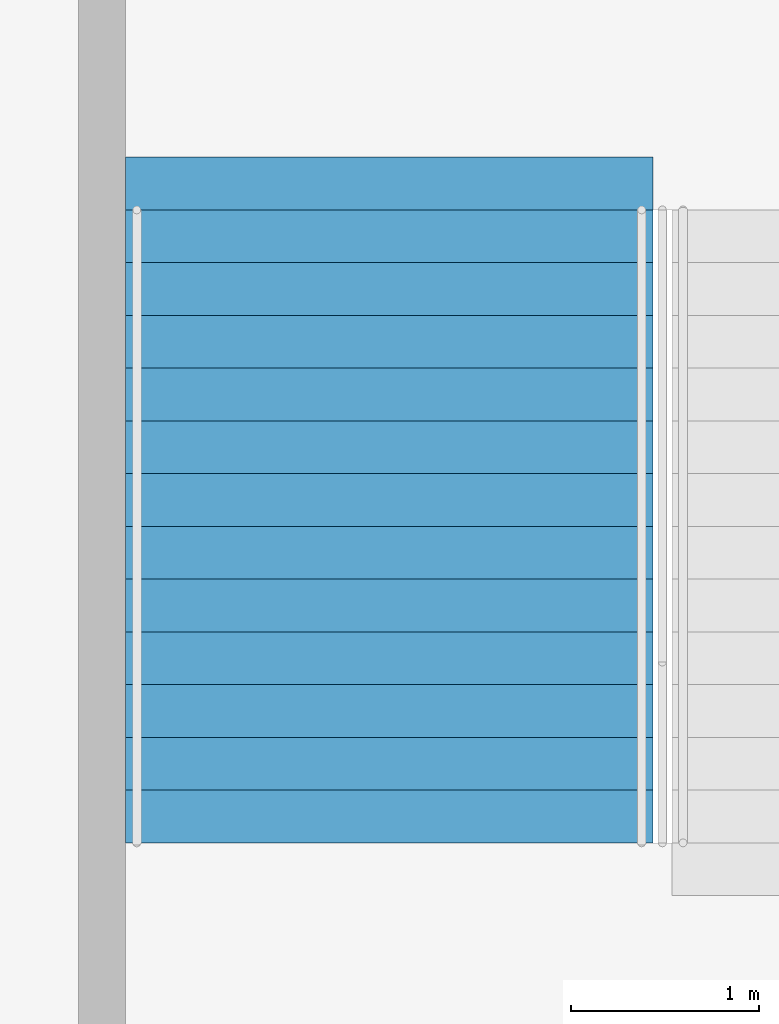
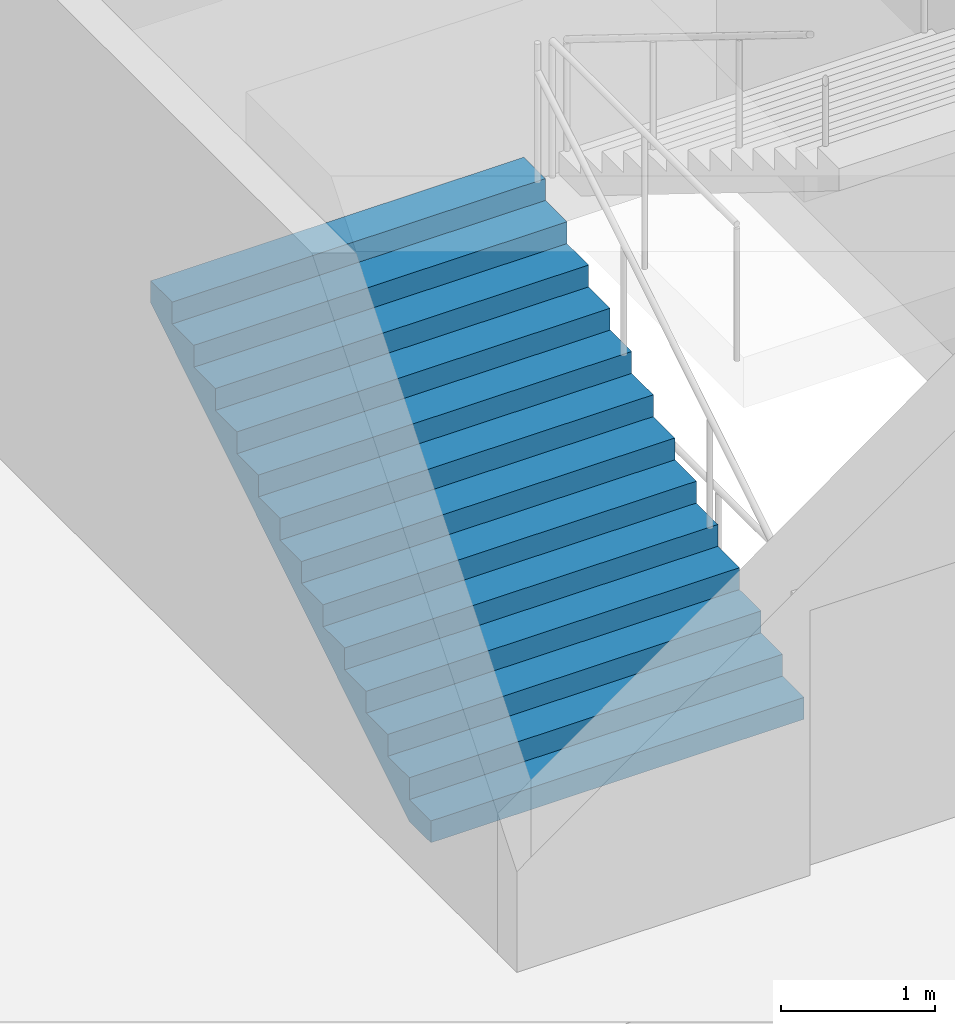
# One storey, part 170 of 199: 1 stair flight, 1 element without a shape of its own.
"""IFC4 building model written with IfcOpenShell, lengths in metres."""

import ifcopenshell
import ifcopenshell.guid

model = None  # the IFC model being written
_history = None  # IfcOwnerHistory: only IFC2X3 demands one
_inside = {}  # id of a spatial element -> (the spatial element, [elements in it])
_under = {}  # id of a project, library or spatial element -> (it, [spatial elements below it])
_declared = {}  # id of a project -> (the project, [libraries it declares])
_typed = {}  # id of a type object -> (the type object, [elements of that type])
_made_of = {}  # id of a material, layer set ... -> (it, [elements and type objects made of it])


def new_model(schema):
    """Start an empty IFC model of exactly this schema.

    Asked for "IFC4X3", IfcOpenShell would pick the latest addendum, in which some entities
    have other attributes; the version numbers below select the first issue.
    IFC2X3 requires an IfcOwnerHistory on every rooted entity: one is made here for all.
    """
    global model, _history
    if schema == "IFC4X3":
        model = ifcopenshell.file(schema_version=(4, 3, 0, 0))
    else:
        model = ifcopenshell.file(schema=schema)
    _inside.clear()
    _under.clear()
    _declared.clear()
    _typed.clear()
    _made_of.clear()
    _history = None
    if model.schema == "IFC2X3":
        org = make("IfcOrganization", Name="unknown")
        user = make(
            "IfcPersonAndOrganization",
            ThePerson=make("IfcPerson", FamilyName="unknown"),
            TheOrganization=org,
        )
        app = make(
            "IfcApplication",
            ApplicationDeveloper=org,
            Version="unknown",
            ApplicationFullName="unknown",
            ApplicationIdentifier="unknown",
        )
        _history = make(
            "IfcOwnerHistory",
            OwningUser=user,
            OwningApplication=app,
            ChangeAction="ADDED",
            CreationDate=0,
        )
    return model


def make(cls, **values):
    """One entity of the class cls with the attributes given. An attribute that is None is left unset."""
    return model.create_entity(
        cls, **{name: value for name, value in values.items() if value is not None}
    )


def rooted(cls, **values):
    """An entity with a GlobalId (a new one), such as an element, a storey or a relation."""
    return make(cls, GlobalId=ifcopenshell.guid.new(), OwnerHistory=_history, **values)


def si_unit(unit_type, name, prefix=None):
    """IfcSIUnit, for example si_unit("LENGTHUNIT", "METRE", prefix="MILLI")."""
    return make("IfcSIUnit", UnitType=unit_type, Prefix=prefix, Name=name)


def assignment(units):
    """IfcUnitAssignment: the units of a project."""
    return None if units is None else make("IfcUnitAssignment", Units=units)


def point(xyz):
    """IfcCartesianPoint."""
    return None if xyz is None else make("IfcCartesianPoint", Coordinates=xyz)


def direction(xyz):
    """IfcDirection."""
    return None if xyz is None else make("IfcDirection", DirectionRatios=xyz)


def frame(location, z_axis=None, x_axis=None):
    """IfcAxis2Placement3D, a coordinate frame: its origin and axes. An axis left out is left unset."""
    return make(
        "IfcAxis2Placement3D",
        Location=point(location),
        Axis=direction(z_axis),
        RefDirection=direction(x_axis),
    )


def origin():
    """The frame at (0, 0, 0) with its axes left unset."""
    return frame((0.0, 0.0, 0.0))


def place(relative_to, where):
    """IfcLocalPlacement: puts the frame where relative to a parent placement (None: the world)."""
    return make(
        "IfcLocalPlacement", PlacementRelTo=relative_to, RelativePlacement=where
    )


def context(
    kind, dimensions, precision=None, world=None, true_north=None, identifier=None
):
    """IfcGeometricRepresentationContext, for example the 3D "Model" context."""
    return make(
        "IfcGeometricRepresentationContext",
        ContextIdentifier=identifier,
        ContextType=kind,
        CoordinateSpaceDimension=dimensions,
        Precision=precision,
        WorldCoordinateSystem=world,
        TrueNorth=true_north,
    )


def subcontext(parent, identifier, kind, view, scale=None):
    """IfcGeometricRepresentationSubContext, for example "Body" below "Model"."""
    return make(
        "IfcGeometricRepresentationSubContext",
        ContextIdentifier=identifier,
        ContextType=kind,
        ParentContext=parent,
        TargetScale=scale,
        TargetView=view,
    )


def project(units=None, contexts=None):
    """IfcProject with its units and contexts."""
    return rooted(
        "IfcProject",
        Name="project",
        RepresentationContexts=contexts,
        UnitsInContext=assignment(units),
    )


def spatial(cls, under=None, at=None, **own):
    """A site, building, storey or space (cls), placed at a placement, below another one or the project."""
    s = rooted(cls, ObjectPlacement=at, **own)
    if under is not None:
        _under.setdefault(under.id(), (under, []))[1].append(s)
    return s


def faces_of(points, faces, orient=None, outer=None):
    """IfcFace entities. A face is a list of loops; a loop is a list of indices into points, from 0.

    orient and outer hold one flag for each loop. By default every Orientation is true, the
    first loop of a face is its IfcFaceOuterBound and the others are IfcFaceBound.
    """
    made = []
    for i, loops in enumerate(faces):
        bounds = []
        for j, loop in enumerate(loops):
            is_outer = j == 0 if outer is None else outer[i][j]
            bounds.append(
                make(
                    "IfcFaceOuterBound" if is_outer else "IfcFaceBound",
                    Bound=make("IfcPolyLoop", Polygon=[points[k] for k in loop]),
                    Orientation=True if orient is None else orient[i][j],
                )
            )
        made.append(make("IfcFace", Bounds=bounds))
    return made


def faceted_brep(points, faces, orient=None, outer=None, voids=None):
    """IfcFacetedBrep: a solid bounded by flat faces; with voids (closed shells), ...WithVoids."""
    shared = [point(p) for p in points]
    hull = make("IfcClosedShell", CfsFaces=faces_of(shared, faces, orient, outer))
    if voids is None:
        return make("IfcFacetedBrep", Outer=hull)
    return make(
        "IfcFacetedBrepWithVoids",
        Outer=hull,
        Voids=[
            make(cls, CfsFaces=faces_of(shared, fs, o, b)) for cls, fs, o, b in voids
        ],
    )


def shape(context_of_items, identifier, shape_type, items):
    """IfcShapeRepresentation: the items that make up one representation, for example the "Body"."""
    return make(
        "IfcShapeRepresentation",
        ContextOfItems=context_of_items,
        RepresentationIdentifier=identifier,
        RepresentationType=shape_type,
        Items=items,
    )


def material(Name=None, Category=None):
    """IfcMaterial."""
    return make("IfcMaterial", Name=Name, Category=Category)


def made_of(thing, what):
    """Note that an element or type object is made of a material, layer set ...; save() writes the relation."""
    if what is not None:
        _made_of.setdefault(what.id(), (what, []))[1].append(thing)
    return thing


def type_object(cls, material=None, **own):
    """A type object (cls), such as IfcWallType, which elements share."""
    return made_of(rooted(cls, **own), material)


def element(
    cls,
    number,
    at=None,
    inside=None,
    cuts=None,
    type_object=None,
    material=None,
    context=None,
    identifier="Body",
    shape_type=None,
    held_by="IfcProductDefinitionShape",
    body=None,
    shapes=None,
    **own,
):
    """One element of the class cls, such as IfcWall. Its Tag is "e" and its number.

    at: its placement. inside: the storey or other place that contains it. cuts: it is an
    opening in that element (IfcRelVoidsElement). A single representation is given by context,
    identifier, shape_type and body (its items); several are given by shapes. held_by: the class
    of the entity that holds the representations. save() writes the other relations.
    """
    e = rooted(cls, Tag="e%d" % number, ObjectPlacement=at, **own)
    if body is not None:
        shapes = [shape(context, identifier, shape_type, body)]
    if shapes is not None:
        e.Representation = make(held_by, Representations=shapes)
    if inside is not None:
        _inside.setdefault(inside.id(), (inside, []))[1].append(e)
    if cuts is not None:
        rooted(
            "IfcRelVoidsElement", RelatingBuildingElement=cuts, RelatedOpeningElement=e
        )
    if type_object is not None:
        _typed.setdefault(type_object.id(), (type_object, []))[1].append(e)
    return made_of(e, material)


def aggregate(whole, parts):
    """IfcRelAggregates: a whole, such as a stair, and the parts it consists of."""
    return rooted("IfcRelAggregates", RelatingObject=whole, RelatedObjects=parts)


def save(model, path):
    """Write the relations noted so far, then the file.

    IfcRelAggregates (storeys below a building ...), IfcRelContainedInSpatialStructure (elements
    in a storey), IfcRelDefinesByType, IfcRelAssociatesMaterial and IfcRelDeclares: one each for
    every whole, place, type object, material and project.
    """
    for whole, parts in _under.values():
        aggregate(whole, parts)
    for where, things in _inside.values():
        rooted(
            "IfcRelContainedInSpatialStructure",
            RelatedElements=things,
            RelatingStructure=where,
        )
    for kind, things in _typed.values():
        rooted("IfcRelDefinesByType", RelatedObjects=things, RelatingType=kind)
    for what, things in _made_of.values():
        rooted("IfcRelAssociatesMaterial", RelatedObjects=things, RelatingMaterial=what)
    for by, libraries in _declared.values():
        rooted("IfcRelDeclares", RelatingContext=by, RelatedDefinitions=libraries)
    model.write(path)


model = new_model("IFC4")

# Units and contexts
model_context = context("Model", 3, precision=1e-05, world=origin(), true_north=direction((0.0, 1.0)))
body_context = subcontext(model_context, "Body", "Model", "MODEL_VIEW")
ifc_project = project(units=[si_unit("LENGTHUNIT", "METRE"), si_unit("AREAUNIT", "SQUARE_METRE"), si_unit("VOLUMEUNIT", "CUBIC_METRE"), si_unit("PLANEANGLEUNIT", "RADIAN"), si_unit("MASSUNIT", "GRAM", prefix="KILO")], contexts=[model_context])

# Site, building, storey
site_placement = place(None, origin())
site = spatial("IfcSite", under=ifc_project, at=site_placement, CompositionType="ELEMENT")
building_placement = place(site_placement, origin())
building = spatial("IfcBuilding", under=site, at=building_placement, Name="Ogive Plaza Stadium", CompositionType="ELEMENT")
storey_placement = place(building_placement, frame((0.0, 0.0, 4.5)))
storey = spatial("IfcBuildingStorey", under=building, at=storey_placement, Name="L01", CompositionType="ELEMENT", Elevation=4.5)

# Stair, stair flight
ifc_material_1 = material(Name="Concrete C40/50", Category="concrete")
stair_type = type_object("IfcStairType", Name="Exit stair", PredefinedType="STRAIGHT_RUN_STAIR", material=ifc_material_1)
stair_placement = place(storey_placement, origin())
stair = element("IfcStair", 1, at=stair_placement, inside=storey, type_object=stair_type, Name="Exit stair ST36B L01 to L02", PredefinedType="STRAIGHT_RUN_STAIR")
ifc_material_2 = material(Name="Concrete C40/50", Category="concrete")
stair_flight_type = type_object("IfcStairFlightType", Name="Exit stair flight", PredefinedType="STRAIGHT", material=ifc_material_2)
stair_flight_placement = place(storey_placement, frame((15.97509765625, 94.85009765625, 0.0), z_axis=(0.0, 0.0, 1.0), x_axis=(0.0, 1.0, 0.0)))
stair_flight = element("IfcStairFlight", 2, at=stair_flight_placement, type_object=stair_flight_type, Name="ST36B flight 1", NumberOfRisers=13, NumberOfTreads=12, PredefinedType="STRAIGHT", RiserHeight=0.173076923, TreadLength=0.28, context=body_context, shape_type="Brep", body=[
    faceted_brep([(0.28515625, -1.39990234375, 0.0), (3.639892578125, -1.39990234375, 2.07373046875), (3.639892578125, -1.39990234375, 2.25), (3.360107421875, -1.39990234375, 2.25), (3.360107421875, -1.39990234375, 2.076904296875), (3.080078125, -1.39990234375, 2.076904296875), (3.080078125, -1.39990234375, 1.90380859375), (2.800048828125, -1.39990234375, 1.90380859375), (2.800048828125, -1.39990234375, 1.730712890625), (2.52001953125, -1.39990234375, 1.730712890625), (2.52001953125, -1.39990234375, 1.5576171875), (2.239990234375, -1.39990234375, 1.5576171875), (2.239990234375, -1.39990234375, 1.384521484375), (1.9599609375, -1.39990234375, 1.384521484375), (1.9599609375, -1.39990234375, 1.21142578125), (1.679931640625, -1.39990234375, 1.21142578125), (1.679931640625, -1.39990234375, 1.03857421875), (1.39990234375, -1.39990234375, 1.03857421875), (1.39990234375, -1.39990234375, 0.865478515625), (1.1201171875, -1.39990234375, 0.865478515625), (1.1201171875, -1.39990234375, 0.6923828125), (0.840087890625, -1.39990234375, 0.6923828125), (0.840087890625, -1.39990234375, 0.519287109375), (0.56005859375, -1.39990234375, 0.519287109375), (0.56005859375, -1.39990234375, 0.34619140625), (0.280029296875, -1.39990234375, 0.34619140625), (0.280029296875, -1.39990234375, 0.173095703125), (0.0, -1.39990234375, 0.173095703125), (0.0, -1.39990234375, 0.0), (0.0, 1.39990234375, 0.0), (0.0, 1.39990234375, 0.173095703125), (0.280029296875, 1.39990234375, 0.173095703125), (0.280029296875, 1.39990234375, 0.34619140625), (0.56005859375, 1.39990234375, 0.34619140625), (0.56005859375, 1.39990234375, 0.519287109375), (0.840087890625, 1.39990234375, 0.519287109375), (0.840087890625, 1.39990234375, 0.6923828125), (1.1201171875, 1.39990234375, 0.6923828125), (1.1201171875, 1.39990234375, 0.865478515625), (1.39990234375, 1.39990234375, 0.865478515625), (1.39990234375, 1.39990234375, 1.03857421875), (1.679931640625, 1.39990234375, 1.03857421875), (1.679931640625, 1.39990234375, 1.21142578125), (1.9599609375, 1.39990234375, 1.21142578125), (1.9599609375, 1.39990234375, 1.384521484375), (2.239990234375, 1.39990234375, 1.384521484375), (2.239990234375, 1.39990234375, 1.5576171875), (2.52001953125, 1.39990234375, 1.5576171875), (2.52001953125, 1.39990234375, 1.730712890625), (2.800048828125, 1.39990234375, 1.730712890625), (2.800048828125, 1.39990234375, 1.90380859375), (3.080078125, 1.39990234375, 1.90380859375), (3.080078125, 1.39990234375, 2.076904296875), (3.360107421875, 1.39990234375, 2.076904296875), (3.360107421875, 1.39990234375, 2.25), (3.639892578125, 1.39990234375, 2.25), (3.639892578125, 1.39990234375, 2.07373046875), (0.28515625, 1.39990234375, 0.0), (0.28515625, -1.0888671875, 0.0), (3.639892578125, -1.0888671875, 2.07373046875), (0.28515625, -0.77783203125, 0.0), (3.639892578125, -0.77783203125, 2.07373046875), (0.28515625, -0.466796875, 0.0), (3.639892578125, -0.466796875, 2.07373046875), (0.28515625, -0.155517578125, 0.0), (3.639892578125, -0.155517578125, 2.07373046875), (0.28515625, 0.155517578125, 0.0), (3.639892578125, 0.155517578125, 2.07373046875), (0.28515625, 0.466796875, 0.0), (3.639892578125, 0.466796875, 2.07373046875), (0.28515625, 0.77783203125, 0.0), (3.639892578125, 0.77783203125, 2.07373046875), (0.28515625, 1.0888671875, 0.0), (3.639892578125, 1.0888671875, 2.07373046875), (3.639892578125, -1.0888671875, 2.25), (3.639892578125, -0.77783203125, 2.25), (3.639892578125, -0.466796875, 2.25), (3.639892578125, -0.155517578125, 2.25), (3.639892578125, 0.155517578125, 2.25), (3.639892578125, 0.466796875, 2.25), (3.639892578125, 0.77783203125, 2.25), (3.639892578125, 1.0888671875, 2.25), (3.360107421875, -1.0888671875, 2.25), (3.360107421875, -0.77783203125, 2.25), (3.360107421875, -0.466796875, 2.25), (3.360107421875, -0.155517578125, 2.25), (3.360107421875, 0.155517578125, 2.25), (3.360107421875, 0.466796875, 2.25), (3.360107421875, 0.77783203125, 2.25), (3.360107421875, 1.0888671875, 2.25), (3.360107421875, -1.0888671875, 2.076904296875), (3.360107421875, -0.77783203125, 2.076904296875), (3.360107421875, -0.466796875, 2.076904296875), (3.360107421875, -0.155517578125, 2.076904296875), (3.360107421875, 0.155517578125, 2.076904296875), (3.360107421875, 0.466796875, 2.076904296875), (3.360107421875, 0.77783203125, 2.076904296875), (3.360107421875, 1.0888671875, 2.076904296875), (3.080078125, -1.0888671875, 2.076904296875), (3.080078125, -0.77783203125, 2.076904296875), (3.080078125, -0.466796875, 2.076904296875), (3.080078125, -0.155517578125, 2.076904296875), (3.080078125, 0.155517578125, 2.076904296875), (3.080078125, 0.466796875, 2.076904296875), (3.080078125, 0.77783203125, 2.076904296875), (3.080078125, 1.0888671875, 2.076904296875), (3.080078125, -1.0888671875, 1.90380859375), (3.080078125, -0.77783203125, 1.90380859375), (3.080078125, -0.466796875, 1.90380859375), (3.080078125, -0.155517578125, 1.90380859375), (3.080078125, 0.155517578125, 1.90380859375), (3.080078125, 0.466796875, 1.90380859375), (3.080078125, 0.77783203125, 1.90380859375), (3.080078125, 1.0888671875, 1.90380859375), (2.800048828125, -1.0888671875, 1.90380859375), (2.800048828125, -0.77783203125, 1.90380859375), (2.800048828125, -0.466796875, 1.90380859375), (2.800048828125, -0.155517578125, 1.90380859375), (2.800048828125, 0.155517578125, 1.90380859375), (2.800048828125, 0.466796875, 1.90380859375), (2.800048828125, 0.77783203125, 1.90380859375), (2.800048828125, 1.0888671875, 1.90380859375), (2.800048828125, -1.0888671875, 1.730712890625), (2.800048828125, -0.77783203125, 1.730712890625), (2.800048828125, -0.466796875, 1.730712890625), (2.800048828125, -0.155517578125, 1.730712890625), (2.800048828125, 0.155517578125, 1.730712890625), (2.800048828125, 0.466796875, 1.730712890625), (2.800048828125, 0.77783203125, 1.730712890625), (2.800048828125, 1.0888671875, 1.730712890625), (2.52001953125, -1.0888671875, 1.730712890625), (2.52001953125, -0.77783203125, 1.730712890625), (2.52001953125, -0.466796875, 1.730712890625), (2.52001953125, -0.155517578125, 1.730712890625), (2.52001953125, 0.155517578125, 1.730712890625), (2.52001953125, 0.466796875, 1.730712890625), (2.52001953125, 0.77783203125, 1.730712890625), (2.52001953125, 1.0888671875, 1.730712890625), (2.52001953125, -1.0888671875, 1.5576171875), (2.52001953125, -0.77783203125, 1.5576171875), (2.52001953125, -0.466796875, 1.5576171875), (2.52001953125, -0.155517578125, 1.5576171875), (2.52001953125, 0.155517578125, 1.5576171875), (2.52001953125, 0.466796875, 1.5576171875), (2.52001953125, 0.77783203125, 1.5576171875), (2.52001953125, 1.0888671875, 1.5576171875), (2.239990234375, -1.0888671875, 1.5576171875), (2.239990234375, -0.77783203125, 1.5576171875), (2.239990234375, -0.466796875, 1.5576171875), (2.239990234375, -0.155517578125, 1.5576171875), (2.239990234375, 0.155517578125, 1.5576171875), (2.239990234375, 0.466796875, 1.5576171875), (2.239990234375, 0.77783203125, 1.5576171875), (2.239990234375, 1.0888671875, 1.5576171875), (2.239990234375, -1.0888671875, 1.384521484375), (2.239990234375, -0.77783203125, 1.384521484375), (2.239990234375, -0.466796875, 1.384521484375), (2.239990234375, -0.155517578125, 1.384521484375), (2.239990234375, 0.155517578125, 1.384521484375), (2.239990234375, 0.466796875, 1.384521484375), (2.239990234375, 0.77783203125, 1.384521484375), (2.239990234375, 1.0888671875, 1.384521484375), (1.9599609375, -1.0888671875, 1.384521484375), (1.9599609375, -0.77783203125, 1.384521484375), (1.9599609375, -0.466796875, 1.384521484375), (1.9599609375, -0.155517578125, 1.384521484375), (1.9599609375, 0.155517578125, 1.384521484375), (1.9599609375, 0.466796875, 1.384521484375), (1.9599609375, 0.77783203125, 1.384521484375), (1.9599609375, 1.0888671875, 1.384521484375), (1.9599609375, -1.0888671875, 1.21142578125), (1.9599609375, -0.77783203125, 1.21142578125), (1.9599609375, -0.466796875, 1.21142578125), (1.9599609375, -0.155517578125, 1.21142578125), (1.9599609375, 0.155517578125, 1.21142578125), (1.9599609375, 0.466796875, 1.21142578125), (1.9599609375, 0.77783203125, 1.21142578125), (1.9599609375, 1.0888671875, 1.21142578125), (1.679931640625, -1.0888671875, 1.21142578125), (1.679931640625, -0.77783203125, 1.21142578125), (1.679931640625, -0.466796875, 1.21142578125), (1.679931640625, -0.155517578125, 1.21142578125), (1.679931640625, 0.155517578125, 1.21142578125), (1.679931640625, 0.466796875, 1.21142578125), (1.679931640625, 0.77783203125, 1.21142578125), (1.679931640625, 1.0888671875, 1.21142578125), (1.679931640625, -1.0888671875, 1.03857421875), (1.679931640625, -0.77783203125, 1.03857421875), (1.679931640625, -0.466796875, 1.03857421875), (1.679931640625, -0.155517578125, 1.03857421875), (1.679931640625, 0.155517578125, 1.03857421875), (1.679931640625, 0.466796875, 1.03857421875), (1.679931640625, 0.77783203125, 1.03857421875), (1.679931640625, 1.0888671875, 1.03857421875), (1.39990234375, -1.0888671875, 1.03857421875), (1.39990234375, -0.77783203125, 1.03857421875), (1.39990234375, -0.466796875, 1.03857421875), (1.39990234375, -0.155517578125, 1.03857421875), (1.39990234375, 0.155517578125, 1.03857421875), (1.39990234375, 0.466796875, 1.03857421875), (1.39990234375, 0.77783203125, 1.03857421875), (1.39990234375, 1.0888671875, 1.03857421875), (1.39990234375, -1.0888671875, 0.865478515625), (1.39990234375, -0.77783203125, 0.865478515625), (1.39990234375, -0.466796875, 0.865478515625), (1.39990234375, -0.155517578125, 0.865478515625), (1.39990234375, 0.155517578125, 0.865478515625), (1.39990234375, 0.466796875, 0.865478515625), (1.39990234375, 0.77783203125, 0.865478515625), (1.39990234375, 1.0888671875, 0.865478515625), (1.1201171875, -1.0888671875, 0.865478515625), (1.1201171875, -0.77783203125, 0.865478515625), (1.1201171875, -0.466796875, 0.865478515625), (1.1201171875, -0.155517578125, 0.865478515625), (1.1201171875, 0.155517578125, 0.865478515625), (1.1201171875, 0.466796875, 0.865478515625), (1.1201171875, 0.77783203125, 0.865478515625), (1.1201171875, 1.0888671875, 0.865478515625), (1.1201171875, -1.0888671875, 0.6923828125), (1.1201171875, -0.77783203125, 0.6923828125), (1.1201171875, -0.466796875, 0.6923828125), (1.1201171875, -0.155517578125, 0.6923828125), (1.1201171875, 0.155517578125, 0.6923828125), (1.1201171875, 0.466796875, 0.6923828125), (1.1201171875, 0.77783203125, 0.6923828125), (1.1201171875, 1.0888671875, 0.6923828125), (0.840087890625, -1.0888671875, 0.6923828125), (0.840087890625, -0.77783203125, 0.6923828125), (0.840087890625, -0.466796875, 0.6923828125), (0.840087890625, -0.155517578125, 0.6923828125), (0.840087890625, 0.155517578125, 0.6923828125), (0.840087890625, 0.466796875, 0.6923828125), (0.840087890625, 0.77783203125, 0.6923828125), (0.840087890625, 1.0888671875, 0.6923828125), (0.840087890625, -1.0888671875, 0.519287109375), (0.840087890625, -0.77783203125, 0.519287109375), (0.840087890625, -0.466796875, 0.519287109375), (0.840087890625, -0.155517578125, 0.519287109375), (0.840087890625, 0.155517578125, 0.519287109375), (0.840087890625, 0.466796875, 0.519287109375), (0.840087890625, 0.77783203125, 0.519287109375), (0.840087890625, 1.0888671875, 0.519287109375), (0.56005859375, -1.0888671875, 0.519287109375), (0.56005859375, -0.77783203125, 0.519287109375), (0.56005859375, -0.466796875, 0.519287109375), (0.56005859375, -0.155517578125, 0.519287109375), (0.56005859375, 0.155517578125, 0.519287109375), (0.56005859375, 0.466796875, 0.519287109375), (0.56005859375, 0.77783203125, 0.519287109375), (0.56005859375, 1.0888671875, 0.519287109375), (0.56005859375, -1.0888671875, 0.34619140625), (0.56005859375, -0.77783203125, 0.34619140625), (0.56005859375, -0.466796875, 0.34619140625), (0.56005859375, -0.155517578125, 0.34619140625), (0.56005859375, 0.155517578125, 0.34619140625), (0.56005859375, 0.466796875, 0.34619140625), (0.56005859375, 0.77783203125, 0.34619140625), (0.56005859375, 1.0888671875, 0.34619140625), (0.280029296875, -1.0888671875, 0.34619140625), (0.280029296875, -0.77783203125, 0.34619140625), (0.280029296875, -0.466796875, 0.34619140625), (0.280029296875, -0.155517578125, 0.34619140625), (0.280029296875, 0.155517578125, 0.34619140625), (0.280029296875, 0.466796875, 0.34619140625), (0.280029296875, 0.77783203125, 0.34619140625), (0.280029296875, 1.0888671875, 0.34619140625), (0.280029296875, -1.0888671875, 0.173095703125), (0.280029296875, -0.77783203125, 0.173095703125), (0.280029296875, -0.466796875, 0.173095703125), (0.280029296875, -0.155517578125, 0.173095703125), (0.280029296875, 0.155517578125, 0.173095703125), (0.280029296875, 0.466796875, 0.173095703125), (0.280029296875, 0.77783203125, 0.173095703125), (0.280029296875, 1.0888671875, 0.173095703125), (0.0, -1.0888671875, 0.173095703125), (0.0, -0.77783203125, 0.173095703125), (0.0, -0.466796875, 0.173095703125), (0.0, -0.155517578125, 0.173095703125), (0.0, 0.155517578125, 0.173095703125), (0.0, 0.466796875, 0.173095703125), (0.0, 0.77783203125, 0.173095703125), (0.0, 1.0888671875, 0.173095703125), (0.0, -1.0888671875, 0.0), (0.0, -0.77783203125, 0.0), (0.0, -0.466796875, 0.0), (0.0, -0.155517578125, 0.0), (0.0, 0.155517578125, 0.0), (0.0, 0.466796875, 0.0), (0.0, 0.77783203125, 0.0), (0.0, 1.0888671875, 0.0)], [[[0, 1, 2, 3, 4, 5, 6, 7, 8, 9, 10, 11, 12, 13, 14, 15, 16, 17, 18, 19, 20, 21, 22, 23, 24, 25, 26, 27, 28]], [[29, 30, 31, 32, 33, 34, 35, 36, 37, 38, 39, 40, 41, 42, 43, 44, 45, 46, 47, 48, 49, 50, 51, 52, 53, 54, 55, 56, 57]], [[0, 58, 59, 1]], [[58, 60, 61, 59]], [[60, 62, 63, 61]], [[62, 64, 65, 63]], [[64, 66, 67, 65]], [[66, 68, 69, 67]], [[68, 70, 71, 69]], [[70, 72, 73, 71]], [[72, 57, 56, 73]], [[1, 59, 74, 2]], [[59, 61, 75, 74]], [[61, 63, 76, 75]], [[63, 65, 77, 76]], [[65, 67, 78, 77]], [[67, 69, 79, 78]], [[69, 71, 80, 79]], [[71, 73, 81, 80]], [[73, 56, 55, 81]], [[2, 74, 82, 3]], [[74, 75, 83, 82]], [[75, 76, 84, 83]], [[76, 77, 85, 84]], [[77, 78, 86, 85]], [[78, 79, 87, 86]], [[79, 80, 88, 87]], [[80, 81, 89, 88]], [[81, 55, 54, 89]], [[3, 82, 90, 4]], [[82, 83, 91, 90]], [[83, 84, 92, 91]], [[84, 85, 93, 92]], [[85, 86, 94, 93]], [[86, 87, 95, 94]], [[87, 88, 96, 95]], [[88, 89, 97, 96]], [[89, 54, 53, 97]], [[4, 90, 98, 5]], [[90, 91, 99, 98]], [[91, 92, 100, 99]], [[92, 93, 101, 100]], [[93, 94, 102, 101]], [[94, 95, 103, 102]], [[95, 96, 104, 103]], [[96, 97, 105, 104]], [[97, 53, 52, 105]], [[5, 98, 106, 6]], [[98, 99, 107, 106]], [[99, 100, 108, 107]], [[100, 101, 109, 108]], [[101, 102, 110, 109]], [[102, 103, 111, 110]], [[103, 104, 112, 111]], [[104, 105, 113, 112]], [[105, 52, 51, 113]], [[6, 106, 114, 7]], [[106, 107, 115, 114]], [[107, 108, 116, 115]], [[108, 109, 117, 116]], [[109, 110, 118, 117]], [[110, 111, 119, 118]], [[111, 112, 120, 119]], [[112, 113, 121, 120]], [[113, 51, 50, 121]], [[7, 114, 122, 8]], [[114, 115, 123, 122]], [[115, 116, 124, 123]], [[116, 117, 125, 124]], [[117, 118, 126, 125]], [[118, 119, 127, 126]], [[119, 120, 128, 127]], [[120, 121, 129, 128]], [[121, 50, 49, 129]], [[8, 122, 130, 9]], [[122, 123, 131, 130]], [[123, 124, 132, 131]], [[124, 125, 133, 132]], [[125, 126, 134, 133]], [[126, 127, 135, 134]], [[127, 128, 136, 135]], [[128, 129, 137, 136]], [[129, 49, 48, 137]], [[9, 130, 138, 10]], [[130, 131, 139, 138]], [[131, 132, 140, 139]], [[132, 133, 141, 140]], [[133, 134, 142, 141]], [[134, 135, 143, 142]], [[135, 136, 144, 143]], [[136, 137, 145, 144]], [[137, 48, 47, 145]], [[10, 138, 146, 11]], [[138, 139, 147, 146]], [[139, 140, 148, 147]], [[140, 141, 149, 148]], [[141, 142, 150, 149]], [[142, 143, 151, 150]], [[143, 144, 152, 151]], [[144, 145, 153, 152]], [[145, 47, 46, 153]], [[11, 146, 154, 12]], [[146, 147, 155, 154]], [[147, 148, 156, 155]], [[148, 149, 157, 156]], [[149, 150, 158, 157]], [[150, 151, 159, 158]], [[151, 152, 160, 159]], [[152, 153, 161, 160]], [[153, 46, 45, 161]], [[12, 154, 162, 13]], [[154, 155, 163, 162]], [[155, 156, 164, 163]], [[156, 157, 165, 164]], [[157, 158, 166, 165]], [[158, 159, 167, 166]], [[159, 160, 168, 167]], [[160, 161, 169, 168]], [[161, 45, 44, 169]], [[13, 162, 170, 14]], [[162, 163, 171, 170]], [[163, 164, 172, 171]], [[164, 165, 173, 172]], [[165, 166, 174, 173]], [[166, 167, 175, 174]], [[167, 168, 176, 175]], [[168, 169, 177, 176]], [[169, 44, 43, 177]], [[14, 170, 178, 15]], [[170, 171, 179, 178]], [[171, 172, 180, 179]], [[172, 173, 181, 180]], [[173, 174, 182, 181]], [[174, 175, 183, 182]], [[175, 176, 184, 183]], [[176, 177, 185, 184]], [[177, 43, 42, 185]], [[15, 178, 186, 16]], [[178, 179, 187, 186]], [[179, 180, 188, 187]], [[180, 181, 189, 188]], [[181, 182, 190, 189]], [[182, 183, 191, 190]], [[183, 184, 192, 191]], [[184, 185, 193, 192]], [[185, 42, 41, 193]], [[16, 186, 194, 17]], [[186, 187, 195, 194]], [[187, 188, 196, 195]], [[188, 189, 197, 196]], [[189, 190, 198, 197]], [[190, 191, 199, 198]], [[191, 192, 200, 199]], [[192, 193, 201, 200]], [[193, 41, 40, 201]], [[17, 194, 202, 18]], [[194, 195, 203, 202]], [[195, 196, 204, 203]], [[196, 197, 205, 204]], [[197, 198, 206, 205]], [[198, 199, 207, 206]], [[199, 200, 208, 207]], [[200, 201, 209, 208]], [[201, 40, 39, 209]], [[18, 202, 210, 19]], [[202, 203, 211, 210]], [[203, 204, 212, 211]], [[204, 205, 213, 212]], [[205, 206, 214, 213]], [[206, 207, 215, 214]], [[207, 208, 216, 215]], [[208, 209, 217, 216]], [[209, 39, 38, 217]], [[19, 210, 218, 20]], [[210, 211, 219, 218]], [[211, 212, 220, 219]], [[212, 213, 221, 220]], [[213, 214, 222, 221]], [[214, 215, 223, 222]], [[215, 216, 224, 223]], [[216, 217, 225, 224]], [[217, 38, 37, 225]], [[20, 218, 226, 21]], [[218, 219, 227, 226]], [[219, 220, 228, 227]], [[220, 221, 229, 228]], [[221, 222, 230, 229]], [[222, 223, 231, 230]], [[223, 224, 232, 231]], [[224, 225, 233, 232]], [[225, 37, 36, 233]], [[21, 226, 234, 22]], [[226, 227, 235, 234]], [[227, 228, 236, 235]], [[228, 229, 237, 236]], [[229, 230, 238, 237]], [[230, 231, 239, 238]], [[231, 232, 240, 239]], [[232, 233, 241, 240]], [[233, 36, 35, 241]], [[22, 234, 242, 23]], [[234, 235, 243, 242]], [[235, 236, 244, 243]], [[236, 237, 245, 244]], [[237, 238, 246, 245]], [[238, 239, 247, 246]], [[239, 240, 248, 247]], [[240, 241, 249, 248]], [[241, 35, 34, 249]], [[23, 242, 250, 24]], [[242, 243, 251, 250]], [[243, 244, 252, 251]], [[244, 245, 253, 252]], [[245, 246, 254, 253]], [[246, 247, 255, 254]], [[247, 248, 256, 255]], [[248, 249, 257, 256]], [[249, 34, 33, 257]], [[24, 250, 258, 25]], [[250, 251, 259, 258]], [[251, 252, 260, 259]], [[252, 253, 261, 260]], [[253, 254, 262, 261]], [[254, 255, 263, 262]], [[255, 256, 264, 263]], [[256, 257, 265, 264]], [[257, 33, 32, 265]], [[25, 258, 266, 26]], [[258, 259, 267, 266]], [[259, 260, 268, 267]], [[260, 261, 269, 268]], [[261, 262, 270, 269]], [[262, 263, 271, 270]], [[263, 264, 272, 271]], [[264, 265, 273, 272]], [[265, 32, 31, 273]], [[26, 266, 274, 27]], [[266, 267, 275, 274]], [[267, 268, 276, 275]], [[268, 269, 277, 276]], [[269, 270, 278, 277]], [[270, 271, 279, 278]], [[271, 272, 280, 279]], [[272, 273, 281, 280]], [[273, 31, 30, 281]], [[27, 274, 282, 28]], [[274, 275, 283, 282]], [[275, 276, 284, 283]], [[276, 277, 285, 284]], [[277, 278, 286, 285]], [[278, 279, 287, 286]], [[279, 280, 288, 287]], [[280, 281, 289, 288]], [[281, 30, 29, 289]], [[28, 282, 58, 0]], [[282, 283, 60, 58]], [[283, 284, 62, 60]], [[284, 285, 64, 62]], [[285, 286, 66, 64]], [[286, 287, 68, 66]], [[287, 288, 70, 68]], [[288, 289, 72, 70]], [[289, 29, 57, 72]]]),
])
aggregate(stair, [stair_flight])

save(model, "model.ifc")
